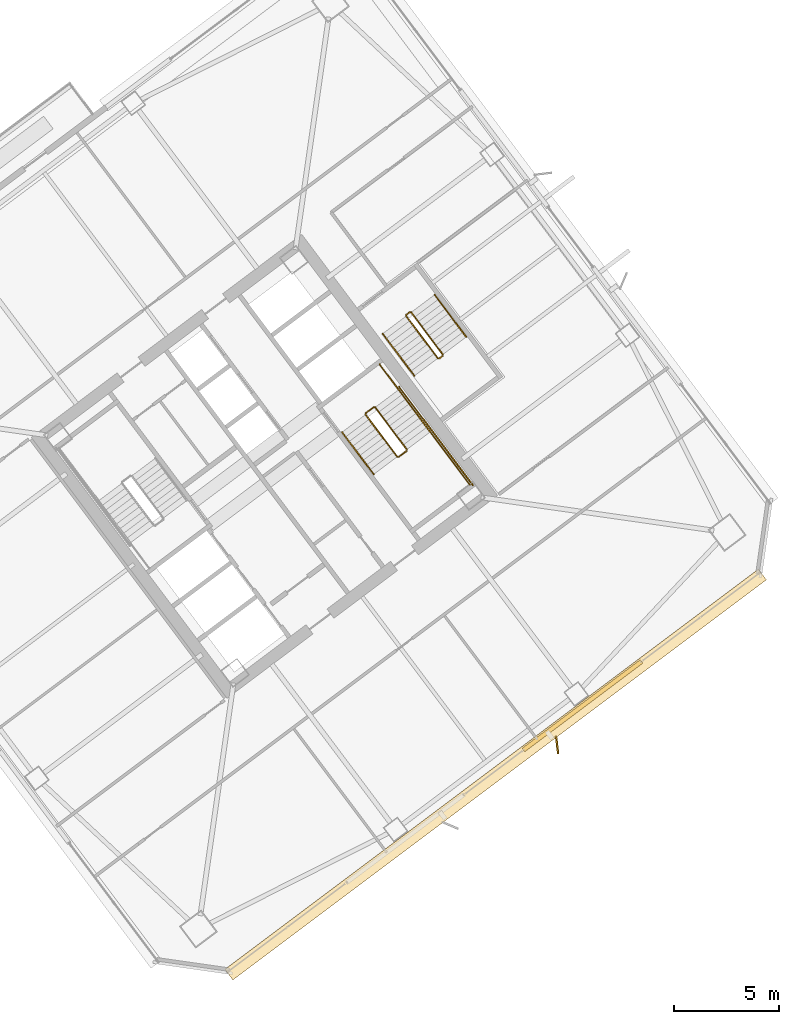
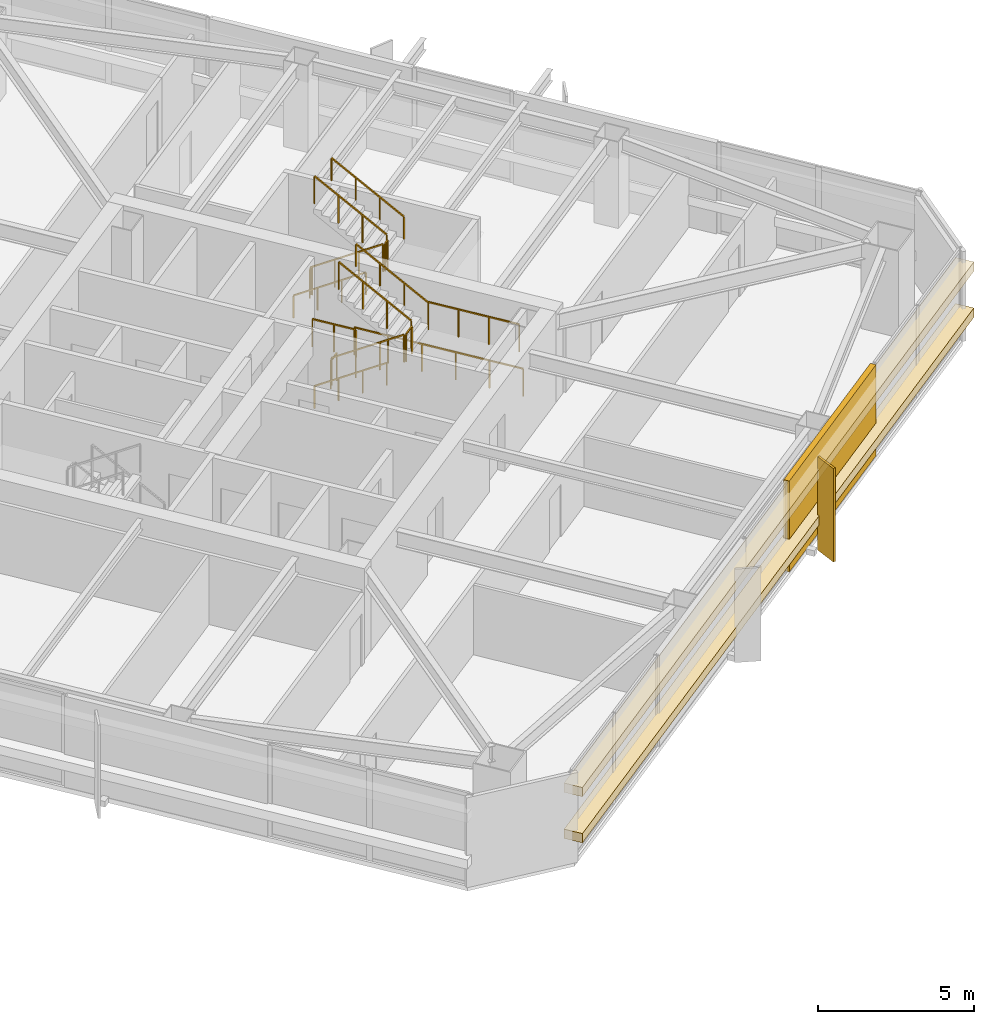
# One storey, part 47 of 48: 15 railings, 3 coverings, 1 shading device.
"""IFC4 building model written with IfcOpenShell, lengths in metres."""

from ifc_helpers import new_model, si_unit, direction, frame, origin, origin_2d, place, context, subcontext, project, spatial, rectangle, extrude, material, layer, layer_set, type_object, element, save


model = new_model("IFC4")

# Units and contexts
model_context = context("Model", 3, precision=1e-05, world=origin(), true_north=direction((0.0, 1.0)))
body_context = subcontext(model_context, "Body", "Model", "MODEL_VIEW")
ifc_project = project(units=[si_unit("LENGTHUNIT", "METRE"), si_unit("AREAUNIT", "SQUARE_METRE"), si_unit("VOLUMEUNIT", "CUBIC_METRE"), si_unit("PLANEANGLEUNIT", "RADIAN"), si_unit("MASSUNIT", "GRAM", prefix="KILO")], contexts=[model_context])

# Site, building, storey
site_placement = place(None, origin())
site = spatial("IfcSite", under=ifc_project, at=site_placement, CompositionType="ELEMENT")
building_placement = place(site_placement, origin())
building = spatial("IfcBuilding", under=site, at=building_placement, Name="Tashvorn Skyway Center", CompositionType="ELEMENT")
storey_placement = place(building_placement, frame((0.0, 0.0, 125.050048828125)))
storey = spatial("IfcBuildingStorey", under=building, at=storey_placement, Name="L33", CompositionType="ELEMENT", Elevation=125.050048828125)

# Coverings
ifc_material_1 = material(Name="Precast concrete C40/50", Category="concrete")
ifc_layer_1 = layer(ifc_material_1, 0.199951171875)
ifc_layer_set_1 = layer_set([ifc_layer_1], Name="Precast concrete C40/50")
covering_type_1 = type_object("IfcCoveringType", Name="COV-BRACE-CLAD", PredefinedType="CLADDING", material=ifc_layer_set_1)
covering_placement = place(storey_placement, frame((129.20263671875, 20.552001953125, 0.0), z_axis=(0.0, 0.0, 1.0), x_axis=(-0.799999996291, -0.600000004945, 0.0)))
element("IfcCovering", 1, at=covering_placement, inside=storey, type_object=covering_type_1, Name="Tower 2 L33 South Unitised Curtain Wall Mega-Brace Cladding Band 1", PredefinedType="CLADDING", context=body_context, shape_type="SweptSolid", body=[
    extrude(rectangle(XDim=7.0576171875, YDim=0.199951171875, at=origin_2d()), origin(), (0.0, 0.0, 1.0), 3.550048828125),
])
ifc_material_2 = material(Name="Perforated ceramic-coated bronze aluminium solar screen", Category="aluminium")
ifc_layer_2 = layer(ifc_material_2, 0.85009765625)
ifc_layer_set_2 = layer_set([ifc_layer_2], Name="Perforated ceramic-coated bronze aluminium solar screen")
covering_type_2 = type_object("IfcCoveringType", Name="COV-SOLAR-BAND", PredefinedType="CLADDING", material=ifc_layer_set_2)
for number, where, z_axis, x_axis, name in (
    (2, (125.052001953125, 17.263916015625, 0.919921875), (0.0, 0.0, 1.0), (-0.799999996291, -0.600000004945, 0.0), "L33 Perforated Ceramic-Metal Solar Screen Louvre Band South 1"),
    (3, (125.052001953125, 17.263916015625, 2.7197265625), (0.0, 0.0, 1.0), (-0.799999996291, -0.600000004945, 0.0), "L33 Perforated Ceramic-Metal Solar Screen Louvre Band South 2"),
):
    element("IfcCovering", number, at=place(storey_placement, frame(where, z_axis=z_axis, x_axis=x_axis)), inside=storey, type_object=covering_type_2, Name=name, PredefinedType="CLADDING", context=body_context, shape_type="SweptSolid", body=[
        extrude(rectangle(XDim=31.8798828125, YDim=0.639892578125, at=origin_2d()), origin(), (0.0, 0.0, 1.0), 0.360107421875),
    ])

# Railings
ifc_material_3 = material(Name="Brushed stainless steel 316", Category="steel")
railing_type_1 = type_object("IfcRailingType", Name="RAIL-HAND-920", PredefinedType="HANDRAIL", material=ifc_material_3)
railing_1_placement = place(storey_placement, frame((117.7119140625, 33.634033203125, 0.177490234375)))
element("IfcRailing", 4, at=railing_1_placement, inside=storey, type_object=railing_type_1, Name="L33 ST-T2-2 stair handrail 1", PredefinedType="HANDRAIL", context=body_context, shape_type="SweptSolid", body=[
    extrude(rectangle(XDim=0.048095703125, YDim=0.048095703125, at=origin_2d()), frame((0.0, 0.0, 0.8759765625), z_axis=(0.506801609611, -0.675680931896, 0.535357270211), x_axis=(0.799976749893, 0.600030998891, 0.0)), (0.0, 0.0, 1.0), 2.98388671875),
    extrude(rectangle(XDim=0.0419921875, YDim=0.0419921875, at=origin_2d()), origin(), (0.0, 0.0, 1.0), 0.851806640625),
    extrude(rectangle(XDim=0.0419921875, YDim=0.0419921875, at=origin_2d()), frame((0.504150390625, -0.672119140625, 0.532470703125)), (0.0, 0.0, 1.0), 0.851806640625),
    extrude(rectangle(XDim=0.0419921875, YDim=0.0419921875, at=origin_2d()), frame((1.008056640625, -1.343994140625, 1.06494140625)), (0.0, 0.0, 1.0), 0.851806640625),
    extrude(rectangle(XDim=0.0419921875, YDim=0.0419921875, at=origin_2d()), frame((1.51220703125, -2.01611328125, 1.597412109375)), (0.0, 0.0, 1.0), 0.851806640625),
])
railing_2_placement = place(storey_placement, frame((121.927978515625, 33.64599609375, 1.952392578125)))
element("IfcRailing", 5, at=railing_2_placement, inside=storey, type_object=railing_type_1, Name="L33 ST-T2-2 stair handrail 2", PredefinedType="HANDRAIL", context=body_context, shape_type="SweptSolid", body=[
    extrude(rectangle(XDim=0.048095703125, YDim=0.048095703125, at=origin_2d()), frame((0.0, 0.0, 0.8759765625), z_axis=(-0.506718600913, 0.675679348675, 0.535437836974), x_axis=(-0.800023250257, -0.599968998406, 0.0)), (0.0, 0.0, 1.0), 2.98388671875),
    extrude(rectangle(XDim=0.0419921875, YDim=0.0419921875, at=origin_2d()), origin(), (0.0, 0.0, 1.0), 0.851806640625),
    extrude(rectangle(XDim=0.0419921875, YDim=0.0419921875, at=origin_2d()), frame((-0.50390625, 0.672119140625, 0.532470703125)), (0.0, 0.0, 1.0), 0.851806640625),
    extrude(rectangle(XDim=0.0419921875, YDim=0.0419921875, at=origin_2d()), frame((-1.008056640625, 1.343994140625, 1.065185546875)), (0.0, 0.0, 1.0), 0.851806640625),
    extrude(rectangle(XDim=0.0419921875, YDim=0.0419921875, at=origin_2d()), frame((-1.511962890625, 2.01611328125, 1.59765625)), (0.0, 0.0, 1.0), 0.851806640625),
])
railing_3_placement = place(storey_placement, frame((119.656005859375, 38.342041015625, 0.177490234375)))
element("IfcRailing", 6, at=railing_3_placement, inside=storey, type_object=railing_type_1, Name="L33 ST-T2-3 stair handrail 1", PredefinedType="HANDRAIL", context=body_context, shape_type="SweptSolid", body=[
    extrude(rectangle(XDim=0.048095703125, YDim=0.048095703125, at=origin_2d()), frame((0.0, 0.0, 0.8759765625), z_axis=(0.506740800098, -0.675708949977, 0.535379469569), x_axis=(0.800023250257, 0.599968998406, 0.0)), (0.0, 0.0, 1.0), 2.983642578125),
    extrude(rectangle(XDim=0.0419921875, YDim=0.0419921875, at=origin_2d()), origin(), (0.0, 0.0, 1.0), 0.851806640625),
    extrude(rectangle(XDim=0.0419921875, YDim=0.0419921875, at=origin_2d()), frame((0.50390625, -0.672119140625, 0.532470703125)), (0.0, 0.0, 1.0), 0.851806640625),
    extrude(rectangle(XDim=0.0419921875, YDim=0.0419921875, at=origin_2d()), frame((1.008056640625, -1.343994140625, 1.06494140625)), (0.0, 0.0, 1.0), 0.851806640625),
    extrude(rectangle(XDim=0.0419921875, YDim=0.0419921875, at=origin_2d()), frame((1.511962890625, -2.01611328125, 1.597412109375)), (0.0, 0.0, 1.0), 0.851806640625),
])
railing_4_placement = place(storey_placement, frame((123.64794921875, 38.18603515625, 1.952392578125)))
element("IfcRailing", 7, at=railing_4_placement, inside=storey, type_object=railing_type_1, Name="L33 ST-T2-3 stair handrail 2", PredefinedType="HANDRAIL", context=body_context, shape_type="SweptSolid", body=[
    extrude(rectangle(XDim=0.048095703125, YDim=0.048095703125, at=origin_2d()), frame((0.0, 0.0, 0.8759765625), z_axis=(-0.50674661542, 0.675634878657, 0.535467439255), x_axis=(-0.79998837352, -0.60001550166, 0.0)), (0.0, 0.0, 1.0), 2.983642578125),
    extrude(rectangle(XDim=0.0419921875, YDim=0.0419921875, at=origin_2d()), origin(), (0.0, 0.0, 1.0), 0.851806640625),
    extrude(rectangle(XDim=0.0419921875, YDim=0.0419921875, at=origin_2d()), frame((-0.50390625, 0.671875, 0.532470703125)), (0.0, 0.0, 1.0), 0.851806640625),
    extrude(rectangle(XDim=0.0419921875, YDim=0.0419921875, at=origin_2d()), frame((-1.008056640625, 1.343994140625, 1.065185546875)), (0.0, 0.0, 1.0), 0.851806640625),
    extrude(rectangle(XDim=0.0419921875, YDim=0.0419921875, at=origin_2d()), frame((-1.511962890625, 2.015869140625, 1.59765625)), (0.0, 0.0, 1.0), 0.851806640625),
])
ifc_material_4 = material(Name="Painted galvanized steel S355", Category="steel")
railing_type_2 = type_object("IfcRailingType", Name="RAIL-STGUARD-1100", PredefinedType="GUARDRAIL", material=ifc_material_4)
railing_5_placement = place(storey_placement, frame((118.83203125, 34.47412109375, 0.177490234375)))
element("IfcRailing", 8, at=railing_5_placement, inside=storey, type_object=railing_type_2, Name="L33 ST-T2-2 stair guard 1", PredefinedType="GUARDRAIL", context=body_context, shape_type="SweptSolid", body=[
    extrude(rectangle(XDim=0.048095703125, YDim=0.048095703125, at=origin_2d()), frame((0.0, 0.0, 1.076171875), z_axis=(0.506740800098, -0.675708949977, 0.535379469569), x_axis=(0.800023250257, 0.599968998406, 0.0)), (0.0, 0.0, 1.0), 2.983642578125),
    extrude(rectangle(XDim=0.0419921875, YDim=0.0419921875, at=origin_2d()), origin(), (0.0, 0.0, 1.0), 1.052001953125),
    extrude(rectangle(XDim=0.0419921875, YDim=0.0419921875, at=origin_2d()), frame((0.50390625, -0.672119140625, 0.532470703125)), (0.0, 0.0, 1.0), 1.052001953125),
    extrude(rectangle(XDim=0.0419921875, YDim=0.0419921875, at=origin_2d()), frame((1.008056640625, -1.343994140625, 1.06494140625)), (0.0, 0.0, 1.0), 1.052001953125),
    extrude(rectangle(XDim=0.0419921875, YDim=0.0419921875, at=origin_2d()), frame((1.511962890625, -2.01611328125, 1.597412109375)), (0.0, 0.0, 1.0), 1.052001953125),
])
railing_6_placement = place(storey_placement, frame((120.4140625, 32.447998046875, 1.77490234375)))
element("IfcRailing", 9, at=railing_6_placement, inside=storey, type_object=railing_type_2, Name="L33 ST-T2-2 stair guard 2", PredefinedType="GUARDRAIL", context=body_context, shape_type="SweptSolid", body=[
    extrude(rectangle(XDim=0.048095703125, YDim=0.048095703125, at=origin_2d()), frame((0.0, 0.0, 1.076171875), z_axis=(0.799938970639, 0.600081363861, 0.0), x_axis=(-0.600081363861, 0.799938970639, 0.0)), (0.0, 0.0, 1.0), 0.47998046875),
    extrude(rectangle(XDim=0.0419921875, YDim=0.0419921875, at=origin_2d()), origin(), (0.0, 0.0, 1.0), 1.052001953125),
    extrude(rectangle(XDim=0.0419921875, YDim=0.0419921875, at=origin_2d()), frame((0.384033203125, 0.2880859375, 0.0)), (0.0, 0.0, 1.0), 1.052001953125),
])
railing_7_placement = place(storey_placement, frame((121.927978515625, 33.64599609375, 1.77490234375)))
element("IfcRailing", 10, at=railing_7_placement, inside=storey, type_object=railing_type_2, Name="L33 ST-T2-2 stair guard 3", PredefinedType="GUARDRAIL", context=body_context, shape_type="SweptSolid", body=[
    extrude(rectangle(XDim=0.048095703125, YDim=0.048095703125, at=origin_2d()), frame((0.0, 0.0, 1.076171875), z_axis=(0.599987638607, -0.800009270896, 0.0), x_axis=(0.800009270896, 0.599987638607, 0.0)), (0.0, 0.0, 1.0), 3.16015625),
    extrude(rectangle(XDim=0.0419921875, YDim=0.0419921875, at=origin_2d()), origin(), (0.0, 0.0, 1.0), 1.052001953125),
    extrude(rectangle(XDim=0.0419921875, YDim=0.0419921875, at=origin_2d()), frame((0.632080078125, -0.8427734375, 0.0)), (0.0, 0.0, 1.0), 1.052001953125),
    extrude(rectangle(XDim=0.0419921875, YDim=0.0419921875, at=origin_2d()), frame((1.263916015625, -1.685302734375, 0.0)), (0.0, 0.0, 1.0), 1.052001953125),
    extrude(rectangle(XDim=0.0419921875, YDim=0.0419921875, at=origin_2d()), frame((1.89599609375, -2.528076171875, 0.0)), (0.0, 0.0, 1.0), 1.052001953125),
])
railing_8_placement = place(storey_placement, frame((120.80810546875, 32.805908203125, 1.952392578125)))
element("IfcRailing", 11, at=railing_8_placement, inside=storey, type_object=railing_type_2, Name="L33 ST-T2-2 stair guard 4", PredefinedType="GUARDRAIL", context=body_context, shape_type="SweptSolid", body=[
    extrude(rectangle(XDim=0.048095703125, YDim=0.048095703125, at=origin_2d()), frame((0.0, 0.0, 1.076171875), z_axis=(-0.506779409603, 0.675651334276, 0.53541563714), x_axis=(-0.799976749893, -0.600030998891, 0.0)), (0.0, 0.0, 1.0), 2.98388671875),
    extrude(rectangle(XDim=0.0419921875, YDim=0.0419921875, at=origin_2d()), origin(), (0.0, 0.0, 1.0), 1.052001953125),
    extrude(rectangle(XDim=0.0419921875, YDim=0.0419921875, at=origin_2d()), frame((-0.504150390625, 0.672119140625, 0.532470703125)), (0.0, 0.0, 1.0), 1.052001953125),
    extrude(rectangle(XDim=0.0419921875, YDim=0.0419921875, at=origin_2d()), frame((-1.008056640625, 1.343994140625, 1.065185546875)), (0.0, 0.0, 1.0), 1.052001953125),
    extrude(rectangle(XDim=0.0419921875, YDim=0.0419921875, at=origin_2d()), frame((-1.51220703125, 2.01611328125, 1.59765625)), (0.0, 0.0, 1.0), 1.052001953125),
])
railing_9_placement = place(storey_placement, frame((118.842041015625, 34.5439453125, 0.0)))
element("IfcRailing", 12, at=railing_9_placement, inside=storey, type_object=railing_type_2, Name="L33 ST-T2-2 stair guard 5", PredefinedType="GUARDRAIL", context=body_context, shape_type="SweptSolid", body=[
    extrude(rectangle(XDim=0.048095703125, YDim=0.048095703125, at=origin_2d()), frame((0.0, 0.0, 1.076171875), z_axis=(0.799938970639, 0.600081363861, 0.0), x_axis=(-0.600081363861, 0.799938970639, 0.0)), (0.0, 0.0, 1.0), 0.47998046875),
    extrude(rectangle(XDim=0.0419921875, YDim=0.0419921875, at=origin_2d()), origin(), (0.0, 0.0, 1.0), 1.052001953125),
    extrude(rectangle(XDim=0.0419921875, YDim=0.0419921875, at=origin_2d()), frame((0.384033203125, 0.2880859375, 0.0)), (0.0, 0.0, 1.0), 1.052001953125),
])
railing_10_placement = place(storey_placement, frame((119.50390625, 36.8779296875, 0.0)))
element("IfcRailing", 13, at=railing_10_placement, inside=storey, type_object=railing_type_2, Name="L33 ST-T2-2 stair guard 6", PredefinedType="GUARDRAIL", context=body_context, shape_type="SweptSolid", body=[
    extrude(rectangle(XDim=0.048095703125, YDim=0.048095703125, at=origin_2d()), frame((0.0, 0.0, 1.076171875), z_axis=(0.600102796382, -0.799922892393, 0.0), x_axis=(0.799922892393, 0.600102796382, 0.0)), (0.0, 0.0, 1.0), 1.52001953125),
    extrude(rectangle(XDim=0.0419921875, YDim=0.0419921875, at=origin_2d()), origin(), (0.0, 0.0, 1.0), 1.052001953125),
    extrude(rectangle(XDim=0.0419921875, YDim=0.0419921875, at=origin_2d()), frame((0.4560546875, -0.60791015625, 0.0)), (0.0, 0.0, 1.0), 1.052001953125),
    extrude(rectangle(XDim=0.0419921875, YDim=0.0419921875, at=origin_2d()), frame((0.912109375, -1.2158203125, 0.0)), (0.0, 0.0, 1.0), 1.052001953125),
])
railing_11_placement = place(storey_placement, frame((120.43603515625, 35.802001953125, 0.0)))
element("IfcRailing", 14, at=railing_11_placement, inside=storey, type_object=railing_type_2, Name="L33 ST-T2-2 stair guard 7", PredefinedType="GUARDRAIL", context=body_context, shape_type="SweptSolid", body=[
    extrude(rectangle(XDim=0.048095703125, YDim=0.048095703125, at=origin_2d()), frame((0.0, 0.0, 1.076171875), z_axis=(0.6, -0.8, 0.0), x_axis=(0.8, 0.6, 0.0)), (0.0, 0.0, 1.0), 5.880126953125),
    extrude(rectangle(XDim=0.0419921875, YDim=0.0419921875, at=origin_2d()), origin(), (0.0, 0.0, 1.0), 1.052001953125),
    extrude(rectangle(XDim=0.0419921875, YDim=0.0419921875, at=origin_2d()), frame((0.70556640625, -0.94091796875, 0.0)), (0.0, 0.0, 1.0), 1.052001953125),
    extrude(rectangle(XDim=0.0419921875, YDim=0.0419921875, at=origin_2d()), frame((1.4111328125, -1.881591796875, 0.0)), (0.0, 0.0, 1.0), 1.052001953125),
    extrude(rectangle(XDim=0.0419921875, YDim=0.0419921875, at=origin_2d()), frame((2.116943359375, -2.822509765625, 0.0)), (0.0, 0.0, 1.0), 1.052001953125),
    extrude(rectangle(XDim=0.0419921875, YDim=0.0419921875, at=origin_2d()), frame((2.822509765625, -3.76318359375, 0.0)), (0.0, 0.0, 1.0), 1.052001953125),
    extrude(rectangle(XDim=0.0419921875, YDim=0.0419921875, at=origin_2d()), frame((3.528076171875, -4.7041015625, 0.0)), (0.0, 0.0, 1.0), 1.052001953125),
])
railing_12_placement = place(storey_placement, frame((120.77587890625, 39.181884765625, 0.177490234375)))
element("IfcRailing", 15, at=railing_12_placement, inside=storey, type_object=railing_type_2, Name="L33 ST-T2-3 stair guard 1", PredefinedType="GUARDRAIL", context=body_context, shape_type="SweptSolid", body=[
    extrude(rectangle(XDim=0.048095703125, YDim=0.048095703125, at=origin_2d()), frame((0.0, 0.0, 1.076171875), z_axis=(0.506829628838, -0.67563646195, 0.535386868177), x_axis=(0.799941867976, 0.600077501544, 0.0)), (0.0, 0.0, 1.0), 2.983642578125),
    extrude(rectangle(XDim=0.0419921875, YDim=0.0419921875, at=origin_2d()), origin(), (0.0, 0.0, 1.0), 1.052001953125),
    extrude(rectangle(XDim=0.0419921875, YDim=0.0419921875, at=origin_2d()), frame((0.504150390625, -0.671875, 0.532470703125)), (0.0, 0.0, 1.0), 1.052001953125),
    extrude(rectangle(XDim=0.0419921875, YDim=0.0419921875, at=origin_2d()), frame((1.008056640625, -1.343994140625, 1.06494140625)), (0.0, 0.0, 1.0), 1.052001953125),
    extrude(rectangle(XDim=0.0419921875, YDim=0.0419921875, at=origin_2d()), frame((1.51220703125, -2.015869140625, 1.597412109375)), (0.0, 0.0, 1.0), 1.052001953125),
])
railing_13_placement = place(storey_placement, frame((122.35791015625, 37.156005859375, 1.77490234375)))
element("IfcRailing", 16, at=railing_13_placement, inside=storey, type_object=railing_type_2, Name="L33 ST-T2-3 stair guard 2", PredefinedType="GUARDRAIL", context=body_context, shape_type="SweptSolid", body=[
    extrude(rectangle(XDim=0.048095703125, YDim=0.048095703125, at=origin_2d()), frame((0.0, 0.0, 1.076171875), z_axis=(0.800585412921, 0.599218655098, 0.0), x_axis=(-0.599218655098, 0.800585412921, 0.0)), (0.0, 0.0, 1.0), 0.199951171875),
    extrude(rectangle(XDim=0.0419921875, YDim=0.0419921875, at=origin_2d()), origin(), (0.0, 0.0, 1.0), 1.052001953125),
    extrude(rectangle(XDim=0.0419921875, YDim=0.0419921875, at=origin_2d()), frame((0.16015625, 0.119873046875, 0.0)), (0.0, 0.0, 1.0), 1.052001953125),
])
railing_14_placement = place(storey_placement, frame((122.528076171875, 37.345947265625, 1.952392578125)))
element("IfcRailing", 17, at=railing_14_placement, inside=storey, type_object=railing_type_2, Name="L33 ST-T2-3 stair guard 3", PredefinedType="GUARDRAIL", context=body_context, shape_type="SweptSolid", body=[
    extrude(rectangle(XDim=0.048095703125, YDim=0.048095703125, at=origin_2d()), frame((0.0, 0.0, 1.076171875), z_axis=(-0.506718600913, 0.675679348675, 0.535437836974), x_axis=(-0.800023250257, -0.599968998406, 0.0)), (0.0, 0.0, 1.0), 2.98388671875),
    extrude(rectangle(XDim=0.0419921875, YDim=0.0419921875, at=origin_2d()), origin(), (0.0, 0.0, 1.0), 1.052001953125),
    extrude(rectangle(XDim=0.0419921875, YDim=0.0419921875, at=origin_2d()), frame((-0.50390625, 0.672119140625, 0.532470703125)), (0.0, 0.0, 1.0), 1.052001953125),
    extrude(rectangle(XDim=0.0419921875, YDim=0.0419921875, at=origin_2d()), frame((-1.008056640625, 1.343994140625, 1.065185546875)), (0.0, 0.0, 1.0), 1.052001953125),
    extrude(rectangle(XDim=0.0419921875, YDim=0.0419921875, at=origin_2d()), frame((-1.511962890625, 2.01611328125, 1.59765625)), (0.0, 0.0, 1.0), 1.052001953125),
])
railing_15_placement = place(storey_placement, frame((120.785888671875, 39.251953125, 0.0)))
element("IfcRailing", 18, at=railing_15_placement, inside=storey, type_object=railing_type_2, Name="L33 ST-T2-3 stair guard 4", PredefinedType="GUARDRAIL", context=body_context, shape_type="SweptSolid", body=[
    extrude(rectangle(XDim=0.048095703125, YDim=0.048095703125, at=origin_2d()), frame((0.0, 0.0, 1.076171875), z_axis=(0.8, 0.6, 0.0), x_axis=(-0.6, 0.8, 0.0)), (0.0, 0.0, 1.0), 0.2001953125),
    extrude(rectangle(XDim=0.0419921875, YDim=0.0419921875, at=origin_2d()), origin(), (0.0, 0.0, 1.0), 1.052001953125),
    extrude(rectangle(XDim=0.0419921875, YDim=0.0419921875, at=origin_2d()), frame((0.16015625, 0.1201171875, 0.0)), (0.0, 0.0, 1.0), 1.052001953125),
])

# Shading device
ifc_layer_3 = layer(ifc_material_2, 0.06005859375)
ifc_layer_set_3 = layer_set([ifc_layer_3], Name="Perforated ceramic-coated bronze aluminium solar screen")
shading_device_type = type_object("IfcShadingDeviceType", Name="SHD-SOLAR-850", PredefinedType="USERDEFINED", material=ifc_layer_set_3)
shading_device_placement = place(storey_placement, frame((127.989990234375, 18.679931640625, -0.10009765625), z_axis=(0.0, 0.0, 1.0), x_axis=(-0.992820322288, -0.119615248407, 0.0)))
element("IfcShadingDevice", 19, at=shading_device_placement, inside=storey, type_object=shading_device_type, Name="Tower 2 L33 Perforated Ceramic-Metal Solar Screen S2", ObjectType="SCREEN", PredefinedType="USERDEFINED", context=body_context, shape_type="SweptSolid", body=[
    extrude(rectangle(XDim=0.080078125, YDim=0.85009765625, at=origin_2d()), origin(), (0.0, 0.0, 1.0), 3.64990234375),
])

save(model, "model.ifc")
